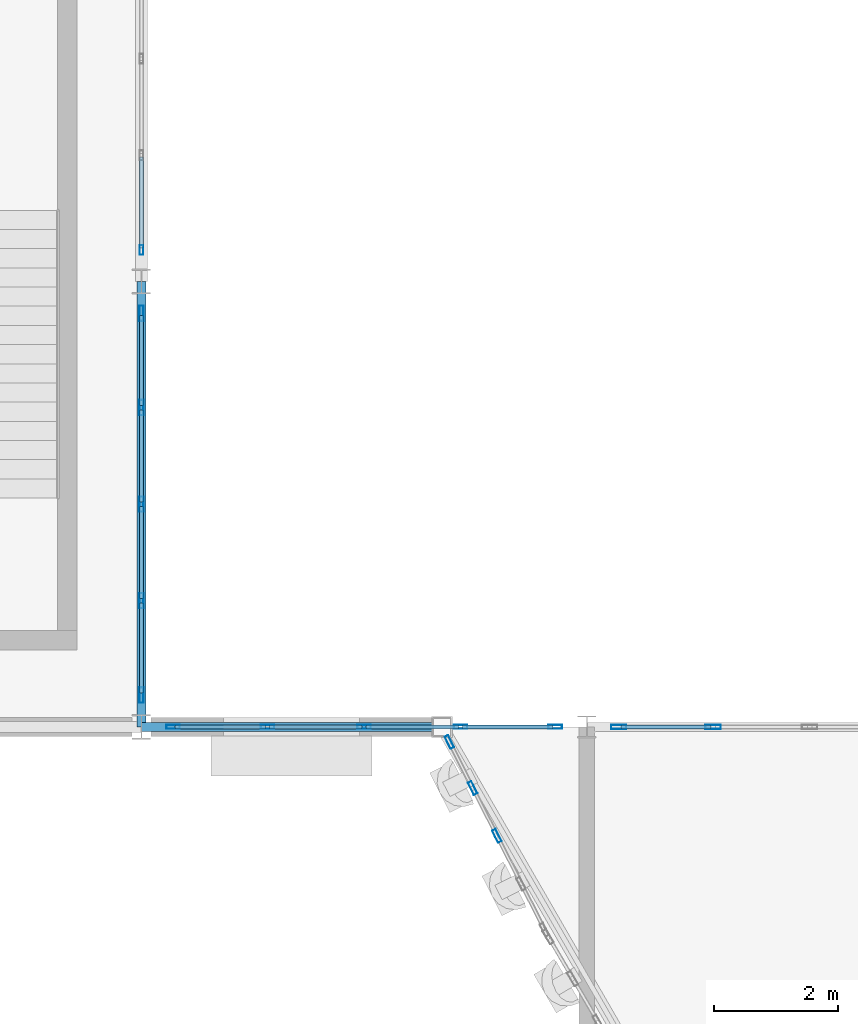
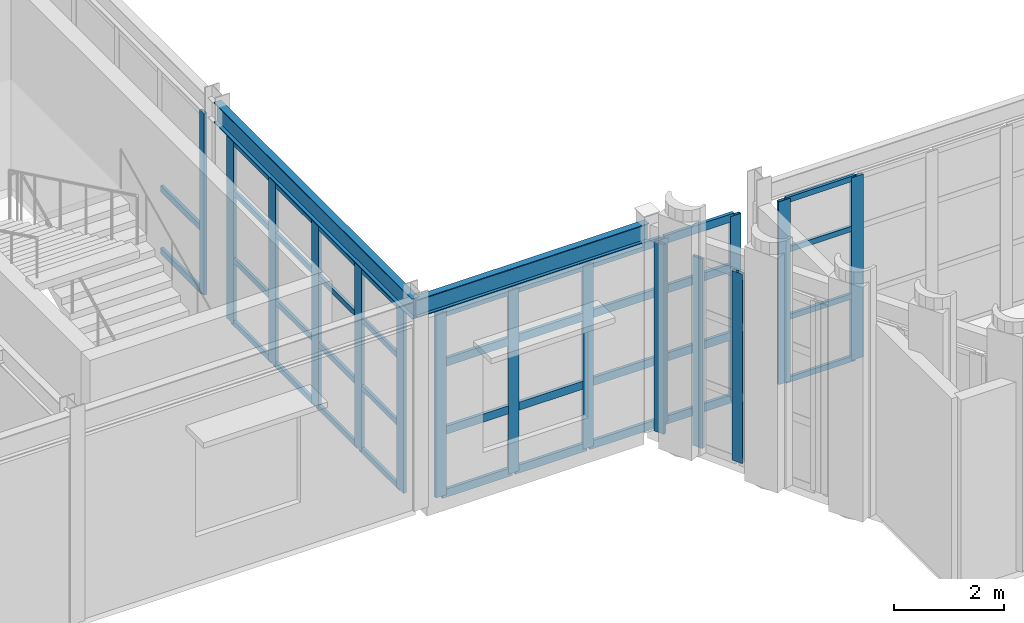
# One storey, part 25 of 126: 54 members, 2 beams, 5 elements without a shape of their own.
"""IFC4 building model written with IfcOpenShell, lengths in metres."""

from ifc_helpers import new_model, si_unit, direction, frame, origin, origin_2d, place, context, subcontext, project, spatial, hollow_rectangle, i_section, extrude, material, layer, layer_set, material_profile, profile_set, type_object, element, aggregate, save


model = new_model("IFC4")

# Units and contexts
model_context = context("Model", 3, precision=1e-05, world=origin(), true_north=direction((0.0, 1.0)))
body_context = subcontext(model_context, "Body", "Model", "MODEL_VIEW")
ifc_project = project(units=[si_unit("LENGTHUNIT", "METRE"), si_unit("AREAUNIT", "SQUARE_METRE"), si_unit("VOLUMEUNIT", "CUBIC_METRE"), si_unit("PLANEANGLEUNIT", "RADIAN"), si_unit("MASSUNIT", "GRAM", prefix="KILO")], contexts=[model_context])

# Site, building, storey
site_placement = place(None, origin())
site = spatial("IfcSite", under=ifc_project, at=site_placement, CompositionType="ELEMENT")
building_placement = place(site_placement, origin())
building = spatial("IfcBuilding", under=site, at=building_placement, Name="Solvadek Multi-Sports Hall", CompositionType="ELEMENT")
storey_placement = place(building_placement, frame((0.0, 0.0, 9.60009765625)))
storey = spatial("IfcBuildingStorey", under=building, at=storey_placement, Name="L02", CompositionType="ELEMENT", Elevation=9.60009765625)

# Curtain wall, member
ifc_material_1 = material(Name="Anodised aluminium", Category="aluminium")
ifc_layer_1 = layer(ifc_material_1, 0.159912109375, Name="Anodised aluminium")
ifc_layer_set_1 = layer_set([ifc_layer_1], Name="Anodised aluminium")
curtain_wall_type_1 = type_object("IfcCurtainWallType", Name="ENV-CW-624X403", PredefinedType="USERDEFINED", material=ifc_layer_set_1)
curtain_wall_1_placement = place(storey_placement, origin())
curtain_wall_1 = element("IfcCurtainWall", 1, at=curtain_wall_1_placement, inside=storey, type_object=curtain_wall_type_1, Name="L02 Perimeter Bay Curtain Wall #188", ObjectType="CURTAIN WALL", PredefinedType="USERDEFINED")
ifc_material_profile_1 = material_profile(ifc_material_1, hollow_rectangle(XDim=0.06005859375, YDim=0.159912109375, WallThickness=0.00390625, at=origin_2d()), Name="ALU-M 160x60x4")
ifc_profile_set_1 = profile_set([ifc_material_profile_1], Name="Anodised aluminium")
member_type_1 = type_object("IfcMemberType", Name="ENV-CWM-01", PredefinedType="MULLION", material=ifc_profile_set_1)
member_1_placement = place(storey_placement, frame((21.60009765625, 28.110107421875, 0.0), z_axis=(0.0, 0.0, 1.0), x_axis=(-1.0, 0.0, 0.0)))
member_1 = element("IfcMember", 2, at=member_1_placement, type_object=member_type_1, Name="CW-43 mullion 1", PredefinedType="MULLION", context=body_context, shape_type="SweptSolid", body=[
    extrude(hollow_rectangle(XDim=0.06005859375, YDim=0.159912109375, WallThickness=0.00390625, at=origin_2d()), origin(), (0.0, 0.0, 1.0), 4.02490234375),
])

# Curtain wall, members
ifc_layer_2 = layer(ifc_material_1, 0.159912109375, Name="Anodised aluminium")
ifc_layer_set_2 = layer_set([ifc_layer_2], Name="Anodised aluminium")
curtain_wall_type_2 = type_object("IfcCurtainWallType", Name="ENV-CW-347X420", PredefinedType="USERDEFINED", material=ifc_layer_set_2)
curtain_wall_2_placement = place(storey_placement, origin())
curtain_wall_2 = element("IfcCurtainWall", 3, at=curtain_wall_2_placement, inside=storey, type_object=curtain_wall_type_2, Name="L02 Crescent Curved Curtain Wall #2", ObjectType="CURTAIN WALL", PredefinedType="USERDEFINED")
ifc_material_profile_2 = material_profile(ifc_material_1, hollow_rectangle(XDim=0.06494140625, YDim=0.219970703125, WallThickness=0.0048828125, at=origin_2d()), Name="ALU-M 220x65x5")
ifc_profile_set_2 = profile_set([ifc_material_profile_2], Name="Anodised aluminium")
member_type_2 = type_object("IfcMemberType", Name="ENV-CWM-04", PredefinedType="MULLION", material=ifc_profile_set_2)
member_2_placement = place(storey_placement, frame((26.57763671875, 20.15673828125, 0.0), z_axis=(0.0, 0.0, 1.0), x_axis=(0.892241043155, 0.451559432312, 0.0)))
member_2 = element("IfcMember", 4, at=member_2_placement, type_object=member_type_2, Name="CW-01 mullion 1", PredefinedType="MULLION", context=body_context, shape_type="SweptSolid", body=[
    extrude(hollow_rectangle(XDim=0.06494140625, YDim=0.219970703125, WallThickness=0.0048828125, at=origin_2d()), origin(), (0.0, 0.0, 1.0), 4.199951171875),
])
member_3_placement = place(storey_placement, frame((26.954345703125, 19.412841796875, 0.0), z_axis=(0.0, 0.0, 1.0), x_axis=(0.892241043155, 0.451559432312, 0.0)))
member_3 = element("IfcMember", 5, at=member_3_placement, type_object=member_type_2, Name="CW-01 mullion 2", PredefinedType="MULLION", context=body_context, shape_type="SweptSolid", body=[
    extrude(hollow_rectangle(XDim=0.06494140625, YDim=0.219970703125, WallThickness=0.0048828125, at=origin_2d()), origin(), (0.0, 0.0, 1.0), 4.199951171875),
])
member_4_placement = place(storey_placement, frame((27.345458984375, 18.6396484375, 0.0), z_axis=(0.0, 0.0, 1.0), x_axis=(0.892241043155, 0.451559432312, 0.0)))
member_4 = element("IfcMember", 6, at=member_4_placement, type_object=member_type_2, Name="CW-01 mullion 3", PredefinedType="MULLION", context=body_context, shape_type="SweptSolid", body=[
    extrude(hollow_rectangle(XDim=0.06494140625, YDim=0.219970703125, WallThickness=0.0048828125, at=origin_2d()), origin(), (0.0, 0.0, 1.0), 4.199951171875),
])
aggregate(curtain_wall_2, [member_2, member_3, member_4])

ifc_layer_3 = layer(ifc_material_1, 0.159912109375, Name="Anodised aluminium")
ifc_layer_set_3 = layer_set([ifc_layer_3], Name="Anodised aluminium")
curtain_wall_type_3 = type_object("IfcCurtainWallType", Name="ENV-CW-624X408", PredefinedType="USERDEFINED", material=ifc_layer_set_3)
curtain_wall_3_placement = place(storey_placement, origin())
curtain_wall_3 = element("IfcCurtainWall", 7, at=curtain_wall_3_placement, inside=storey, type_object=curtain_wall_type_3, Name="L02 Perimeter Bay Curtain Wall #154", ObjectType="CURTAIN WALL", PredefinedType="USERDEFINED")
member_5_placement = place(storey_placement, frame((22.112548828125, 20.39990234375, 0.0), z_axis=(0.0, 0.0, 1.0), x_axis=(0.0, 1.0, 0.0)))
member_5 = element("IfcMember", 8, at=member_5_placement, type_object=member_type_2, Name="CW-40 mullion 1", PredefinedType="MULLION", context=body_context, shape_type="SweptSolid", body=[
    extrude(hollow_rectangle(XDim=0.06494140625, YDim=0.219970703125, WallThickness=0.0048828125, at=origin_2d()), origin(), (0.0, 0.0, 1.0), 4.074951171875),
])
member_6_placement = place(storey_placement, frame((23.639892578125, 20.39990234375, 0.0), z_axis=(0.0, 0.0, 1.0), x_axis=(0.0, 1.0, 0.0)))
member_6 = element("IfcMember", 9, at=member_6_placement, type_object=member_type_2, Name="CW-40 mullion 2", PredefinedType="MULLION", context=body_context, shape_type="SweptSolid", body=[
    extrude(hollow_rectangle(XDim=0.06494140625, YDim=0.219970703125, WallThickness=0.0048828125, at=origin_2d()), origin(), (0.0, 0.0, 1.0), 4.074951171875),
])
member_7_placement = place(storey_placement, frame((25.199951171875, 20.39990234375, 0.0), z_axis=(0.0, 0.0, 1.0), x_axis=(0.0, 1.0, 0.0)))
member_7 = element("IfcMember", 10, at=member_7_placement, type_object=member_type_2, Name="CW-40 mullion 3", PredefinedType="MULLION", context=body_context, shape_type="SweptSolid", body=[
    extrude(hollow_rectangle(XDim=0.06494140625, YDim=0.219970703125, WallThickness=0.0048828125, at=origin_2d()), origin(), (0.0, 0.0, 1.0), 4.074951171875),
])
member_8_placement = place(storey_placement, frame((26.760009765625, 20.39990234375, 0.0), z_axis=(0.0, 0.0, 1.0), x_axis=(0.0, 1.0, 0.0)))
member_8 = element("IfcMember", 11, at=member_8_placement, type_object=member_type_2, Name="CW-40 mullion 4", PredefinedType="MULLION", context=body_context, shape_type="SweptSolid", body=[
    extrude(hollow_rectangle(XDim=0.06494140625, YDim=0.219970703125, WallThickness=0.0048828125, at=origin_2d()), origin(), (0.0, 0.0, 1.0), 4.074951171875),
])
member_9_placement = place(storey_placement, frame((28.28759765625, 20.39990234375, 0.0), z_axis=(0.0, 0.0, 1.0), x_axis=(0.0, 1.0, 0.0)))
member_9 = element("IfcMember", 12, at=member_9_placement, type_object=member_type_2, Name="CW-40 mullion 5", PredefinedType="MULLION", context=body_context, shape_type="SweptSolid", body=[
    extrude(hollow_rectangle(XDim=0.06494140625, YDim=0.219970703125, WallThickness=0.0048828125, at=origin_2d()), origin(), (0.0, 0.0, 1.0), 4.074951171875),
])

ifc_layer_4 = layer(ifc_material_1, 0.159912109375, Name="Anodised aluminium")
ifc_layer_set_4 = layer_set([ifc_layer_4], Name="Anodised aluminium")
curtain_wall_type_4 = type_object("IfcCurtainWallType", Name="ENV-CW-624X405", PredefinedType="USERDEFINED", material=ifc_layer_set_4)
curtain_wall_4_placement = place(storey_placement, origin())
curtain_wall_4 = element("IfcCurtainWall", 13, at=curtain_wall_4_placement, inside=storey, type_object=curtain_wall_type_4, Name="L02 Perimeter Bay Curtain Wall #160", ObjectType="CURTAIN WALL", PredefinedType="USERDEFINED")
ifc_material_profile_3 = material_profile(ifc_material_1, hollow_rectangle(XDim=0.070068359375, YDim=0.25, WallThickness=0.0048828125, at=origin_2d()), Name="ALU-M 250x70x5")
ifc_profile_set_3 = profile_set([ifc_material_profile_3], Name="Anodised aluminium")
member_type_3 = type_object("IfcMemberType", Name="ENV-CWM-05", PredefinedType="MULLION", material=ifc_profile_set_3)
member_10_placement = place(storey_placement, frame((29.31494140625, 20.39990234375, 0.0), z_axis=(0.0, 0.0, 1.0), x_axis=(0.0, 1.0, 0.0)))
member_10 = element("IfcMember", 14, at=member_10_placement, type_object=member_type_3, Name="CW-52 mullion 1", PredefinedType="MULLION", context=body_context, shape_type="SweptSolid", body=[
    extrude(hollow_rectangle(XDim=0.070068359375, YDim=0.25, WallThickness=0.0048828125, at=origin_2d()), origin(), (0.0, 0.0, 1.0), 4.0498046875),
])
member_11_placement = place(storey_placement, frame((30.840087890625, 20.39990234375, 0.0), z_axis=(0.0, 0.0, 1.0), x_axis=(0.0, 1.0, 0.0)))
member_11 = element("IfcMember", 15, at=member_11_placement, type_object=member_type_3, Name="CW-52 mullion 2", PredefinedType="MULLION", context=body_context, shape_type="SweptSolid", body=[
    extrude(hollow_rectangle(XDim=0.070068359375, YDim=0.25, WallThickness=0.0048828125, at=origin_2d()), origin(), (0.0, 0.0, 1.0), 4.0498046875),
])

curtain_wall_5_placement = place(storey_placement, origin())
curtain_wall_5 = element("IfcCurtainWall", 16, at=curtain_wall_5_placement, inside=storey, type_object=curtain_wall_type_4, Name="L02 Perimeter Bay Curtain Wall #182", ObjectType="CURTAIN WALL", PredefinedType="USERDEFINED")
member_12_placement = place(storey_placement, frame((21.60009765625, 20.9150390625, 0.0), z_axis=(0.0, 0.0, 1.0), x_axis=(-1.0, 0.0, 0.0)))
member_12 = element("IfcMember", 17, at=member_12_placement, type_object=member_type_3, Name="CW-52 mullion 1", PredefinedType="MULLION", context=body_context, shape_type="SweptSolid", body=[
    extrude(hollow_rectangle(XDim=0.070068359375, YDim=0.25, WallThickness=0.0048828125, at=origin_2d()), origin(), (0.0, 0.0, 1.0), 4.0498046875),
])
member_13_placement = place(storey_placement, frame((21.60009765625, 22.43994140625, 0.0), z_axis=(0.0, 0.0, 1.0), x_axis=(-1.0, 0.0, 0.0)))
member_13 = element("IfcMember", 18, at=member_13_placement, type_object=member_type_3, Name="CW-52 mullion 2", PredefinedType="MULLION", context=body_context, shape_type="SweptSolid", body=[
    extrude(hollow_rectangle(XDim=0.070068359375, YDim=0.25, WallThickness=0.0048828125, at=origin_2d()), origin(), (0.0, 0.0, 1.0), 4.0498046875),
])
member_14_placement = place(storey_placement, frame((21.60009765625, 24.0, 0.0), z_axis=(0.0, 0.0, 1.0), x_axis=(-1.0, 0.0, 0.0)))
member_14 = element("IfcMember", 19, at=member_14_placement, type_object=member_type_3, Name="CW-52 mullion 3", PredefinedType="MULLION", context=body_context, shape_type="SweptSolid", body=[
    extrude(hollow_rectangle(XDim=0.070068359375, YDim=0.25, WallThickness=0.0048828125, at=origin_2d()), origin(), (0.0, 0.0, 1.0), 4.0498046875),
])
member_15_placement = place(storey_placement, frame((21.60009765625, 25.56005859375, 0.0), z_axis=(0.0, 0.0, 1.0), x_axis=(-1.0, 0.0, 0.0)))
member_15 = element("IfcMember", 20, at=member_15_placement, type_object=member_type_3, Name="CW-52 mullion 4", PredefinedType="MULLION", context=body_context, shape_type="SweptSolid", body=[
    extrude(hollow_rectangle(XDim=0.070068359375, YDim=0.25, WallThickness=0.0048828125, at=origin_2d()), origin(), (0.0, 0.0, 1.0), 4.0498046875),
])
member_16_placement = place(storey_placement, frame((21.60009765625, 27.0849609375, 0.0), z_axis=(0.0, 0.0, 1.0), x_axis=(-1.0, 0.0, 0.0)))
member_16 = element("IfcMember", 21, at=member_16_placement, type_object=member_type_3, Name="CW-52 mullion 5", PredefinedType="MULLION", context=body_context, shape_type="SweptSolid", body=[
    extrude(hollow_rectangle(XDim=0.070068359375, YDim=0.25, WallThickness=0.0048828125, at=origin_2d()), origin(), (0.0, 0.0, 1.0), 4.0498046875),
])

# Member
ifc_material_profile_4 = material_profile(ifc_material_1, hollow_rectangle(XDim=0.06005859375, YDim=0.1201171875, WallThickness=0.00390625, at=origin_2d()), Name="ALU-T 120x60x4")
ifc_profile_set_4 = profile_set([ifc_material_profile_4], Name="Anodised aluminium")
member_type_4 = type_object("IfcMemberType", Name="ENV-CWT-01", PredefinedType="USERDEFINED", material=ifc_profile_set_4)
member_17_placement = place(storey_placement, frame((29.35009765625, 20.39990234375, 0.02978515625), z_axis=(1.0, 0.0, 0.0), x_axis=(0.0, 1.0, 0.0)))
member_17 = element("IfcMember", 22, at=member_17_placement, type_object=member_type_4, Name="CW-52 transom 1.1", ObjectType="TRANSOM", PredefinedType="USERDEFINED", context=body_context, shape_type="SweptSolid", body=[
    extrude(hollow_rectangle(XDim=0.06005859375, YDim=0.1201171875, WallThickness=0.00390625, at=origin_2d()), origin(), (0.0, 0.0, 1.0), 1.454833984375),
])

member_18_placement = place(storey_placement, frame((29.35009765625, 20.39990234375, 1.41796875), z_axis=(1.0, 0.0, 0.0), x_axis=(0.0, 1.0, 0.0)))
member_18 = element("IfcMember", 23, at=member_18_placement, type_object=member_type_4, Name="CW-52 transom 1.2", ObjectType="TRANSOM", PredefinedType="USERDEFINED", context=body_context, shape_type="SweptSolid", body=[
    extrude(hollow_rectangle(XDim=0.06005859375, YDim=0.1201171875, WallThickness=0.00390625, at=origin_2d()), origin(), (0.0, 0.0, 1.0), 1.454833984375),
])

member_19_placement = place(storey_placement, frame((29.35009765625, 20.39990234375, 2.916015625), z_axis=(1.0, 0.0, 0.0), x_axis=(0.0, 1.0, 0.0)))
member_19 = element("IfcMember", 24, at=member_19_placement, type_object=member_type_4, Name="CW-52 transom 1.3", ObjectType="TRANSOM", PredefinedType="USERDEFINED", context=body_context, shape_type="SweptSolid", body=[
    extrude(hollow_rectangle(XDim=0.06005859375, YDim=0.1201171875, WallThickness=0.00390625, at=origin_2d()), origin(), (0.0, 0.0, 1.0), 1.454833984375),
])

member_20_placement = place(storey_placement, frame((29.35009765625, 20.39990234375, 4.02001953125), z_axis=(1.0, 0.0, 0.0), x_axis=(0.0, 1.0, 0.0)))
member_20 = element("IfcMember", 25, at=member_20_placement, type_object=member_type_4, Name="CW-52 transom 1.4", ObjectType="TRANSOM", PredefinedType="USERDEFINED", context=body_context, shape_type="SweptSolid", body=[
    extrude(hollow_rectangle(XDim=0.06005859375, YDim=0.1201171875, WallThickness=0.00390625, at=origin_2d()), origin(), (0.0, 0.0, 1.0), 1.454833984375),
])

aggregate(curtain_wall_4, [member_10, member_11, member_17, member_18, member_19, member_20])

member_21_placement = place(storey_placement, frame((21.60009765625, 20.949951171875, 0.02978515625), z_axis=(0.0, 1.0, 0.0), x_axis=(-1.0, 0.0, 0.0)))
member_21 = element("IfcMember", 26, at=member_21_placement, type_object=member_type_4, Name="CW-52 transom 1.1", ObjectType="TRANSOM", PredefinedType="USERDEFINED", context=body_context, shape_type="SweptSolid", body=[
    extrude(hollow_rectangle(XDim=0.06005859375, YDim=0.1201171875, WallThickness=0.00390625, at=origin_2d()), origin(), (0.0, 0.0, 1.0), 1.455078125),
])

member_22_placement = place(storey_placement, frame((21.60009765625, 20.949951171875, 1.41796875), z_axis=(0.0, 1.0, 0.0), x_axis=(-1.0, 0.0, 0.0)))
member_22 = element("IfcMember", 27, at=member_22_placement, type_object=member_type_4, Name="CW-52 transom 1.2", ObjectType="TRANSOM", PredefinedType="USERDEFINED", context=body_context, shape_type="SweptSolid", body=[
    extrude(hollow_rectangle(XDim=0.06005859375, YDim=0.1201171875, WallThickness=0.00390625, at=origin_2d()), origin(), (0.0, 0.0, 1.0), 1.455078125),
])

member_23_placement = place(storey_placement, frame((21.60009765625, 20.949951171875, 2.916015625), z_axis=(0.0, 1.0, 0.0), x_axis=(-1.0, 0.0, 0.0)))
member_23 = element("IfcMember", 28, at=member_23_placement, type_object=member_type_4, Name="CW-52 transom 1.3", ObjectType="TRANSOM", PredefinedType="USERDEFINED", context=body_context, shape_type="SweptSolid", body=[
    extrude(hollow_rectangle(XDim=0.06005859375, YDim=0.1201171875, WallThickness=0.00390625, at=origin_2d()), origin(), (0.0, 0.0, 1.0), 1.455078125),
])

member_24_placement = place(storey_placement, frame((21.60009765625, 20.949951171875, 4.02001953125), z_axis=(0.0, 1.0, 0.0), x_axis=(-1.0, 0.0, 0.0)))
member_24 = element("IfcMember", 29, at=member_24_placement, type_object=member_type_4, Name="CW-52 transom 1.4", ObjectType="TRANSOM", PredefinedType="USERDEFINED", context=body_context, shape_type="SweptSolid", body=[
    extrude(hollow_rectangle(XDim=0.06005859375, YDim=0.1201171875, WallThickness=0.00390625, at=origin_2d()), origin(), (0.0, 0.0, 1.0), 1.455078125),
])

member_25_placement = place(storey_placement, frame((21.60009765625, 22.47509765625, 0.02978515625), z_axis=(0.0, 1.0, 0.0), x_axis=(-1.0, 0.0, 0.0)))
member_25 = element("IfcMember", 30, at=member_25_placement, type_object=member_type_4, Name="CW-52 transom 2.1", ObjectType="TRANSOM", PredefinedType="USERDEFINED", context=body_context, shape_type="SweptSolid", body=[
    extrude(hollow_rectangle(XDim=0.06005859375, YDim=0.1201171875, WallThickness=0.00390625, at=origin_2d()), origin(), (0.0, 0.0, 1.0), 1.489990234375),
])

member_26_placement = place(storey_placement, frame((21.60009765625, 22.47509765625, 1.41796875), z_axis=(0.0, 1.0, 0.0), x_axis=(-1.0, 0.0, 0.0)))
member_26 = element("IfcMember", 31, at=member_26_placement, type_object=member_type_4, Name="CW-52 transom 2.2", ObjectType="TRANSOM", PredefinedType="USERDEFINED", context=body_context, shape_type="SweptSolid", body=[
    extrude(hollow_rectangle(XDim=0.06005859375, YDim=0.1201171875, WallThickness=0.00390625, at=origin_2d()), origin(), (0.0, 0.0, 1.0), 1.489990234375),
])

member_27_placement = place(storey_placement, frame((21.60009765625, 22.47509765625, 2.916015625), z_axis=(0.0, 1.0, 0.0), x_axis=(-1.0, 0.0, 0.0)))
member_27 = element("IfcMember", 32, at=member_27_placement, type_object=member_type_4, Name="CW-52 transom 2.3", ObjectType="TRANSOM", PredefinedType="USERDEFINED", context=body_context, shape_type="SweptSolid", body=[
    extrude(hollow_rectangle(XDim=0.06005859375, YDim=0.1201171875, WallThickness=0.00390625, at=origin_2d()), origin(), (0.0, 0.0, 1.0), 1.489990234375),
])

member_28_placement = place(storey_placement, frame((21.60009765625, 22.47509765625, 4.02001953125), z_axis=(0.0, 1.0, 0.0), x_axis=(-1.0, 0.0, 0.0)))
member_28 = element("IfcMember", 33, at=member_28_placement, type_object=member_type_4, Name="CW-52 transom 2.4", ObjectType="TRANSOM", PredefinedType="USERDEFINED", context=body_context, shape_type="SweptSolid", body=[
    extrude(hollow_rectangle(XDim=0.06005859375, YDim=0.1201171875, WallThickness=0.00390625, at=origin_2d()), origin(), (0.0, 0.0, 1.0), 1.489990234375),
])

member_29_placement = place(storey_placement, frame((21.60009765625, 24.034912109375, 0.02978515625), z_axis=(0.0, 1.0, 0.0), x_axis=(-1.0, 0.0, 0.0)))
member_29 = element("IfcMember", 34, at=member_29_placement, type_object=member_type_4, Name="CW-52 transom 3.1", ObjectType="TRANSOM", PredefinedType="USERDEFINED", context=body_context, shape_type="SweptSolid", body=[
    extrude(hollow_rectangle(XDim=0.06005859375, YDim=0.1201171875, WallThickness=0.00390625, at=origin_2d()), origin(), (0.0, 0.0, 1.0), 1.489990234375),
])

member_30_placement = place(storey_placement, frame((21.60009765625, 24.034912109375, 1.41796875), z_axis=(0.0, 1.0, 0.0), x_axis=(-1.0, 0.0, 0.0)))
member_30 = element("IfcMember", 35, at=member_30_placement, type_object=member_type_4, Name="CW-52 transom 3.2", ObjectType="TRANSOM", PredefinedType="USERDEFINED", context=body_context, shape_type="SweptSolid", body=[
    extrude(hollow_rectangle(XDim=0.06005859375, YDim=0.1201171875, WallThickness=0.00390625, at=origin_2d()), origin(), (0.0, 0.0, 1.0), 1.489990234375),
])

member_31_placement = place(storey_placement, frame((21.60009765625, 24.034912109375, 2.916015625), z_axis=(0.0, 1.0, 0.0), x_axis=(-1.0, 0.0, 0.0)))
member_31 = element("IfcMember", 36, at=member_31_placement, type_object=member_type_4, Name="CW-52 transom 3.3", ObjectType="TRANSOM", PredefinedType="USERDEFINED", context=body_context, shape_type="SweptSolid", body=[
    extrude(hollow_rectangle(XDim=0.06005859375, YDim=0.1201171875, WallThickness=0.00390625, at=origin_2d()), origin(), (0.0, 0.0, 1.0), 1.489990234375),
])

member_32_placement = place(storey_placement, frame((21.60009765625, 24.034912109375, 4.02001953125), z_axis=(0.0, 1.0, 0.0), x_axis=(-1.0, 0.0, 0.0)))
member_32 = element("IfcMember", 37, at=member_32_placement, type_object=member_type_4, Name="CW-52 transom 3.4", ObjectType="TRANSOM", PredefinedType="USERDEFINED", context=body_context, shape_type="SweptSolid", body=[
    extrude(hollow_rectangle(XDim=0.06005859375, YDim=0.1201171875, WallThickness=0.00390625, at=origin_2d()), origin(), (0.0, 0.0, 1.0), 1.489990234375),
])

member_33_placement = place(storey_placement, frame((21.60009765625, 25.594970703125, 0.02978515625), z_axis=(0.0, 1.0, 0.0), x_axis=(-1.0, 0.0, 0.0)))
member_33 = element("IfcMember", 38, at=member_33_placement, type_object=member_type_4, Name="CW-52 transom 4.1", ObjectType="TRANSOM", PredefinedType="USERDEFINED", context=body_context, shape_type="SweptSolid", body=[
    extrude(hollow_rectangle(XDim=0.06005859375, YDim=0.1201171875, WallThickness=0.00390625, at=origin_2d()), origin(), (0.0, 0.0, 1.0), 1.455078125),
])

member_34_placement = place(storey_placement, frame((21.60009765625, 25.594970703125, 1.41796875), z_axis=(0.0, 1.0, 0.0), x_axis=(-1.0, 0.0, 0.0)))
member_34 = element("IfcMember", 39, at=member_34_placement, type_object=member_type_4, Name="CW-52 transom 4.2", ObjectType="TRANSOM", PredefinedType="USERDEFINED", context=body_context, shape_type="SweptSolid", body=[
    extrude(hollow_rectangle(XDim=0.06005859375, YDim=0.1201171875, WallThickness=0.00390625, at=origin_2d()), origin(), (0.0, 0.0, 1.0), 1.455078125),
])

member_35_placement = place(storey_placement, frame((21.60009765625, 25.594970703125, 2.916015625), z_axis=(0.0, 1.0, 0.0), x_axis=(-1.0, 0.0, 0.0)))
member_35 = element("IfcMember", 40, at=member_35_placement, type_object=member_type_4, Name="CW-52 transom 4.3", ObjectType="TRANSOM", PredefinedType="USERDEFINED", context=body_context, shape_type="SweptSolid", body=[
    extrude(hollow_rectangle(XDim=0.06005859375, YDim=0.1201171875, WallThickness=0.00390625, at=origin_2d()), origin(), (0.0, 0.0, 1.0), 1.455078125),
])

member_36_placement = place(storey_placement, frame((21.60009765625, 25.594970703125, 4.02001953125), z_axis=(0.0, 1.0, 0.0), x_axis=(-1.0, 0.0, 0.0)))
member_36 = element("IfcMember", 41, at=member_36_placement, type_object=member_type_4, Name="CW-52 transom 4.4", ObjectType="TRANSOM", PredefinedType="USERDEFINED", context=body_context, shape_type="SweptSolid", body=[
    extrude(hollow_rectangle(XDim=0.06005859375, YDim=0.1201171875, WallThickness=0.00390625, at=origin_2d()), origin(), (0.0, 0.0, 1.0), 1.455078125),
])

aggregate(curtain_wall_5, [member_12, member_13, member_14, member_15, member_16, member_21, member_22, member_23, member_24, member_25, member_26, member_27, member_28, member_29, member_30, member_31, member_32, member_33, member_34, member_35, member_36])

ifc_material_profile_5 = material_profile(ifc_material_1, hollow_rectangle(XDim=0.06005859375, YDim=0.139892578125, WallThickness=0.00390625, at=origin_2d()), Name="ALU-T 140x60x4")
ifc_profile_set_5 = profile_set([ifc_material_profile_5], Name="Anodised aluminium")
member_type_5 = type_object("IfcMemberType", Name="ENV-CWT-02", PredefinedType="USERDEFINED", material=ifc_profile_set_5)
member_37_placement = place(storey_placement, frame((21.60009765625, 28.139892578125, 0.02978515625), z_axis=(0.0, 1.0, 0.0), x_axis=(-1.0, 0.0, 0.0)))
member_37 = element("IfcMember", 42, at=member_37_placement, type_object=member_type_5, Name="CW-43 transom 1.1", ObjectType="TRANSOM", PredefinedType="USERDEFINED", context=body_context, shape_type="SweptSolid", body=[
    extrude(hollow_rectangle(XDim=0.06005859375, YDim=0.139892578125, WallThickness=0.00390625, at=origin_2d()), origin(), (0.0, 0.0, 1.0), 1.47021484375),
])

member_38_placement = place(storey_placement, frame((21.60009765625, 28.139892578125, 1.408935546875), z_axis=(0.0, 1.0, 0.0), x_axis=(-1.0, 0.0, 0.0)))
member_38 = element("IfcMember", 43, at=member_38_placement, type_object=member_type_5, Name="CW-43 transom 1.2", ObjectType="TRANSOM", PredefinedType="USERDEFINED", context=body_context, shape_type="SweptSolid", body=[
    extrude(hollow_rectangle(XDim=0.06005859375, YDim=0.139892578125, WallThickness=0.00390625, at=origin_2d()), origin(), (0.0, 0.0, 1.0), 1.47021484375),
])

aggregate(curtain_wall_1, [member_1, member_37, member_38])

ifc_material_profile_6 = material_profile(ifc_material_1, hollow_rectangle(XDim=0.06494140625, YDim=0.179931640625, WallThickness=0.0048828125, at=origin_2d()), Name="ALU-T 180x65x5")
ifc_profile_set_6 = profile_set([ifc_material_profile_6], Name="Anodised aluminium")
member_type_6 = type_object("IfcMemberType", Name="ENV-CWT-04", PredefinedType="USERDEFINED", material=ifc_profile_set_6)
member_39_placement = place(storey_placement, frame((22.14501953125, 20.39990234375, 0.032470703125), z_axis=(1.0, 0.0, 0.0), x_axis=(0.0, 1.0, 0.0)))
member_39 = element("IfcMember", 44, at=member_39_placement, type_object=member_type_6, Name="CW-40 transom 1.1", ObjectType="TRANSOM", PredefinedType="USERDEFINED", context=body_context, shape_type="SweptSolid", body=[
    extrude(hollow_rectangle(XDim=0.06494140625, YDim=0.179931640625, WallThickness=0.0048828125, at=origin_2d()), origin(), (0.0, 0.0, 1.0), 1.46240234375),
])

member_40_placement = place(storey_placement, frame((22.14501953125, 20.39990234375, 1.42578125), z_axis=(1.0, 0.0, 0.0), x_axis=(0.0, 1.0, 0.0)))
member_40 = element("IfcMember", 45, at=member_40_placement, type_object=member_type_6, Name="CW-40 transom 1.2", ObjectType="TRANSOM", PredefinedType="USERDEFINED", context=body_context, shape_type="SweptSolid", body=[
    extrude(hollow_rectangle(XDim=0.06494140625, YDim=0.179931640625, WallThickness=0.0048828125, at=origin_2d()), origin(), (0.0, 0.0, 1.0), 1.46240234375),
])

member_41_placement = place(storey_placement, frame((22.14501953125, 20.39990234375, 2.933837890625), z_axis=(1.0, 0.0, 0.0), x_axis=(0.0, 1.0, 0.0)))
member_41 = element("IfcMember", 46, at=member_41_placement, type_object=member_type_6, Name="CW-40 transom 1.3", ObjectType="TRANSOM", PredefinedType="USERDEFINED", context=body_context, shape_type="SweptSolid", body=[
    extrude(hollow_rectangle(XDim=0.06494140625, YDim=0.179931640625, WallThickness=0.0048828125, at=origin_2d()), origin(), (0.0, 0.0, 1.0), 1.46240234375),
])

member_42_placement = place(storey_placement, frame((22.14501953125, 20.39990234375, 4.04248046875), z_axis=(1.0, 0.0, 0.0), x_axis=(0.0, 1.0, 0.0)))
member_42 = element("IfcMember", 47, at=member_42_placement, type_object=member_type_6, Name="CW-40 transom 1.4", ObjectType="TRANSOM", PredefinedType="USERDEFINED", context=body_context, shape_type="SweptSolid", body=[
    extrude(hollow_rectangle(XDim=0.06494140625, YDim=0.179931640625, WallThickness=0.0048828125, at=origin_2d()), origin(), (0.0, 0.0, 1.0), 1.46240234375),
])

member_43_placement = place(storey_placement, frame((23.672607421875, 20.39990234375, 0.032470703125), z_axis=(1.0, 0.0, 0.0), x_axis=(0.0, 1.0, 0.0)))
member_43 = element("IfcMember", 48, at=member_43_placement, type_object=member_type_6, Name="CW-40 transom 2.1", ObjectType="TRANSOM", PredefinedType="USERDEFINED", context=body_context, shape_type="SweptSolid", body=[
    extrude(hollow_rectangle(XDim=0.06494140625, YDim=0.179931640625, WallThickness=0.0048828125, at=origin_2d()), origin(), (0.0, 0.0, 1.0), 1.494873046875),
])

member_44_placement = place(storey_placement, frame((23.672607421875, 20.39990234375, 1.42578125), z_axis=(1.0, 0.0, 0.0), x_axis=(0.0, 1.0, 0.0)))
member_44 = element("IfcMember", 49, at=member_44_placement, type_object=member_type_6, Name="CW-40 transom 2.2", ObjectType="TRANSOM", PredefinedType="USERDEFINED", context=body_context, shape_type="SweptSolid", body=[
    extrude(hollow_rectangle(XDim=0.06494140625, YDim=0.179931640625, WallThickness=0.0048828125, at=origin_2d()), origin(), (0.0, 0.0, 1.0), 1.494873046875),
])

member_45_placement = place(storey_placement, frame((23.672607421875, 20.39990234375, 2.933837890625), z_axis=(1.0, 0.0, 0.0), x_axis=(0.0, 1.0, 0.0)))
member_45 = element("IfcMember", 50, at=member_45_placement, type_object=member_type_6, Name="CW-40 transom 2.3", ObjectType="TRANSOM", PredefinedType="USERDEFINED", context=body_context, shape_type="SweptSolid", body=[
    extrude(hollow_rectangle(XDim=0.06494140625, YDim=0.179931640625, WallThickness=0.0048828125, at=origin_2d()), origin(), (0.0, 0.0, 1.0), 1.494873046875),
])

member_46_placement = place(storey_placement, frame((23.672607421875, 20.39990234375, 4.04248046875), z_axis=(1.0, 0.0, 0.0), x_axis=(0.0, 1.0, 0.0)))
member_46 = element("IfcMember", 51, at=member_46_placement, type_object=member_type_6, Name="CW-40 transom 2.4", ObjectType="TRANSOM", PredefinedType="USERDEFINED", context=body_context, shape_type="SweptSolid", body=[
    extrude(hollow_rectangle(XDim=0.06494140625, YDim=0.179931640625, WallThickness=0.0048828125, at=origin_2d()), origin(), (0.0, 0.0, 1.0), 1.494873046875),
])

member_47_placement = place(storey_placement, frame((25.232421875, 20.39990234375, 0.032470703125), z_axis=(1.0, 0.0, 0.0), x_axis=(0.0, 1.0, 0.0)))
member_47 = element("IfcMember", 52, at=member_47_placement, type_object=member_type_6, Name="CW-40 transom 3.1", ObjectType="TRANSOM", PredefinedType="USERDEFINED", context=body_context, shape_type="SweptSolid", body=[
    extrude(hollow_rectangle(XDim=0.06494140625, YDim=0.179931640625, WallThickness=0.0048828125, at=origin_2d()), origin(), (0.0, 0.0, 1.0), 1.4951171875),
])

member_48_placement = place(storey_placement, frame((25.232421875, 20.39990234375, 1.42578125), z_axis=(1.0, 0.0, 0.0), x_axis=(0.0, 1.0, 0.0)))
member_48 = element("IfcMember", 53, at=member_48_placement, type_object=member_type_6, Name="CW-40 transom 3.2", ObjectType="TRANSOM", PredefinedType="USERDEFINED", context=body_context, shape_type="SweptSolid", body=[
    extrude(hollow_rectangle(XDim=0.06494140625, YDim=0.179931640625, WallThickness=0.0048828125, at=origin_2d()), origin(), (0.0, 0.0, 1.0), 1.4951171875),
])

member_49_placement = place(storey_placement, frame((25.232421875, 20.39990234375, 2.933837890625), z_axis=(1.0, 0.0, 0.0), x_axis=(0.0, 1.0, 0.0)))
member_49 = element("IfcMember", 54, at=member_49_placement, type_object=member_type_6, Name="CW-40 transom 3.3", ObjectType="TRANSOM", PredefinedType="USERDEFINED", context=body_context, shape_type="SweptSolid", body=[
    extrude(hollow_rectangle(XDim=0.06494140625, YDim=0.179931640625, WallThickness=0.0048828125, at=origin_2d()), origin(), (0.0, 0.0, 1.0), 1.4951171875),
])

member_50_placement = place(storey_placement, frame((25.232421875, 20.39990234375, 4.04248046875), z_axis=(1.0, 0.0, 0.0), x_axis=(0.0, 1.0, 0.0)))
member_50 = element("IfcMember", 55, at=member_50_placement, type_object=member_type_6, Name="CW-40 transom 3.4", ObjectType="TRANSOM", PredefinedType="USERDEFINED", context=body_context, shape_type="SweptSolid", body=[
    extrude(hollow_rectangle(XDim=0.06494140625, YDim=0.179931640625, WallThickness=0.0048828125, at=origin_2d()), origin(), (0.0, 0.0, 1.0), 1.4951171875),
])

member_51_placement = place(storey_placement, frame((26.79248046875, 20.39990234375, 0.032470703125), z_axis=(1.0, 0.0, 0.0), x_axis=(0.0, 1.0, 0.0)))
member_51 = element("IfcMember", 56, at=member_51_placement, type_object=member_type_6, Name="CW-40 transom 4.1", ObjectType="TRANSOM", PredefinedType="USERDEFINED", context=body_context, shape_type="SweptSolid", body=[
    extrude(hollow_rectangle(XDim=0.06494140625, YDim=0.179931640625, WallThickness=0.0048828125, at=origin_2d()), origin(), (0.0, 0.0, 1.0), 1.46240234375),
])

member_52_placement = place(storey_placement, frame((26.79248046875, 20.39990234375, 1.42578125), z_axis=(1.0, 0.0, 0.0), x_axis=(0.0, 1.0, 0.0)))
member_52 = element("IfcMember", 57, at=member_52_placement, type_object=member_type_6, Name="CW-40 transom 4.2", ObjectType="TRANSOM", PredefinedType="USERDEFINED", context=body_context, shape_type="SweptSolid", body=[
    extrude(hollow_rectangle(XDim=0.06494140625, YDim=0.179931640625, WallThickness=0.0048828125, at=origin_2d()), origin(), (0.0, 0.0, 1.0), 1.46240234375),
])

member_53_placement = place(storey_placement, frame((26.79248046875, 20.39990234375, 2.933837890625), z_axis=(1.0, 0.0, 0.0), x_axis=(0.0, 1.0, 0.0)))
member_53 = element("IfcMember", 58, at=member_53_placement, type_object=member_type_6, Name="CW-40 transom 4.3", ObjectType="TRANSOM", PredefinedType="USERDEFINED", context=body_context, shape_type="SweptSolid", body=[
    extrude(hollow_rectangle(XDim=0.06494140625, YDim=0.179931640625, WallThickness=0.0048828125, at=origin_2d()), origin(), (0.0, 0.0, 1.0), 1.46240234375),
])

member_54_placement = place(storey_placement, frame((26.79248046875, 20.39990234375, 4.04248046875), z_axis=(1.0, 0.0, 0.0), x_axis=(0.0, 1.0, 0.0)))
member_54 = element("IfcMember", 59, at=member_54_placement, type_object=member_type_6, Name="CW-40 transom 4.4", ObjectType="TRANSOM", PredefinedType="USERDEFINED", context=body_context, shape_type="SweptSolid", body=[
    extrude(hollow_rectangle(XDim=0.06494140625, YDim=0.179931640625, WallThickness=0.0048828125, at=origin_2d()), origin(), (0.0, 0.0, 1.0), 1.46240234375),
])

aggregate(curtain_wall_3, [member_5, member_6, member_7, member_8, member_9, member_39, member_40, member_41, member_42, member_43, member_44, member_45, member_46, member_47, member_48, member_49, member_50, member_51, member_52, member_53, member_54])

# Beams
ifc_material_2 = material(Name="Steel E350 (350 MPa)", Category="steel")
ifc_material_profile_7 = material_profile(ifc_material_2, i_section(OverallWidth=0.139892578125, OverallDepth=0.39990234375, WebThickness=0.0087890625, FlangeThickness=0.01611328125, at=origin_2d()), Name="ISMB 400")
ifc_profile_set_7 = profile_set([ifc_material_profile_7], Name="Steel E350 (350 MPa)")
beam_type_1 = type_object("IfcBeamType", Name="STR-BM-ISMB400", PredefinedType="BEAM", material=ifc_profile_set_7)
beam_1_placement = place(storey_placement, frame((21.60009765625, 20.39990234375, 4.35986328125), z_axis=(1.0, 0.0, 0.0), x_axis=(0.0, 1.0, 0.0)))
element("IfcBeam", 60, at=beam_1_placement, inside=storey, type_object=beam_type_1, Name="L02 Girder B-10 #1329", PredefinedType="BEAM", context=body_context, shape_type="SweptSolid", body=[
    extrude(i_section(OverallWidth=0.139892578125, OverallDepth=0.39990234375, WebThickness=0.0087890625, FlangeThickness=0.01611328125, at=origin_2d()), origin(), (0.0, 0.0, 1.0), 4.8544921875),
])
ifc_material_profile_8 = material_profile(ifc_material_2, i_section(OverallWidth=0.14990234375, OverallDepth=0.449951171875, WebThickness=0.009521484375, FlangeThickness=0.017333984375, at=origin_2d()), Name="ISMB 450")
ifc_profile_set_8 = profile_set([ifc_material_profile_8], Name="Steel E350 (350 MPa)")
beam_type_2 = type_object("IfcBeamType", Name="STR-BM-ISMB450", PredefinedType="BEAM", material=ifc_profile_set_8)
beam_2_placement = place(storey_placement, frame((21.60009765625, 20.39990234375, 4.3349609375), z_axis=(0.0, 1.0, 0.0), x_axis=(-1.0, 0.0, 0.0)))
element("IfcBeam", 61, at=beam_2_placement, inside=storey, type_object=beam_type_2, Name="L02 Girder B-09 #1486", PredefinedType="BEAM", context=body_context, shape_type="SweptSolid", body=[
    extrude(i_section(OverallWidth=0.14990234375, OverallDepth=0.449951171875, WebThickness=0.009521484375, FlangeThickness=0.017333984375, at=origin_2d()), origin(), (0.0, 0.0, 1.0), 7.2001953125),
])

save(model, "model.ifc")
